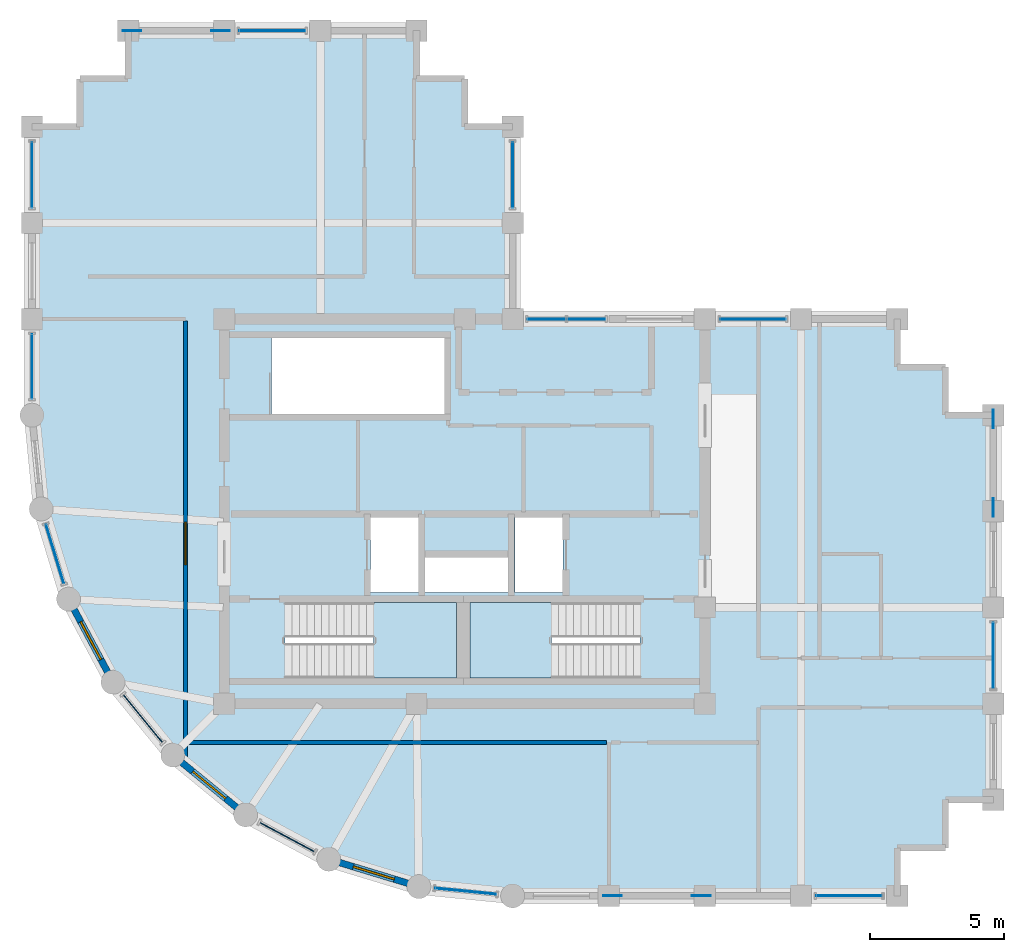
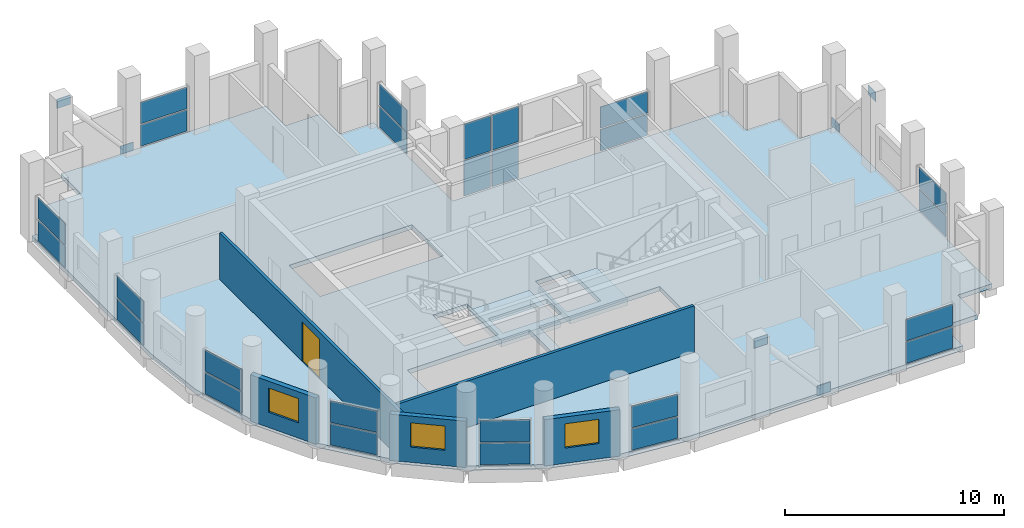
# One storey, part 10 of 14: 32 plates, 5 walls, 3 slabs, 3 windows, 1 door, 4 openings, 14 elements without a shape of their own.
"""IFC4 building model written with IfcOpenShell, lengths in metres."""

from ifc_helpers import new_model, si_unit, direction, frame, frame_2d, origin, origin_2d, place, context, subcontext, project, spatial, polyline, rectangle, outline, extrude, material, layer, layer_set, type_object, element, fill, aggregate, save


model = new_model("IFC4")

# Units and contexts
model_context = context("Model", 3, precision=1e-05, world=origin(), true_north=direction((0.0, 1.0)))
body_context = subcontext(model_context, "Body", "Model", "MODEL_VIEW")
ifc_project = project(units=[si_unit("LENGTHUNIT", "METRE"), si_unit("AREAUNIT", "SQUARE_METRE"), si_unit("VOLUMEUNIT", "CUBIC_METRE"), si_unit("PLANEANGLEUNIT", "RADIAN"), si_unit("MASSUNIT", "GRAM", prefix="KILO")], contexts=[model_context])

# Site, building, storey
site_placement = place(None, origin())
site = spatial("IfcSite", under=ifc_project, at=site_placement, CompositionType="ELEMENT")
building_placement = place(site_placement, origin())
building = spatial("IfcBuilding", under=site, at=building_placement, Name="Solnavia Interchange Tower", CompositionType="ELEMENT")
storey_placement = place(building_placement, frame((0.0, 0.0, 299.800048828125)))
storey = spatial("IfcBuildingStorey", under=building, at=storey_placement, Name="L76", CompositionType="ELEMENT", Elevation=299.800048828125)

# Curtain wall, plates
ifc_material_1 = material(Name="Aluminium Alloy 6063-T6", Category="aluminium")
ifc_layer_1 = layer(ifc_material_1, 0.27001953125)
ifc_layer_set_1 = layer_set([ifc_layer_1], Name="Aluminium Alloy 6063-T6")
curtain_wall_type = type_object("IfcCurtainWallType", Name="CurtainWall-SkyLobby-CTW4", PredefinedType="NOTDEFINED", material=ifc_layer_set_1)
curtain_wall_1_placement = place(storey_placement, origin())
curtain_wall_1 = element("IfcCurtainWall", 1, at=curtain_wall_1_placement, inside=storey, type_object=curtain_wall_type, Name="CTW-L76-S04 CTW-4 curtain wall", PredefinedType="NOTDEFINED")
ifc_material_2 = material(Name="Double-Glazed Low-E IGU Glass", Category="glass")
ifc_layer_2 = layer(ifc_material_2, 0.035888671875)
ifc_layer_set_2 = layer_set([ifc_layer_2], Name="Double-Glazed Low-E IGU Glass")
plate_type_1 = type_object("IfcPlateType", Name="CW-Panel-Acoustic-36", PredefinedType="CURTAIN_PANEL", material=ifc_layer_set_2)
plate_1_placement = place(storey_placement, frame((37.800048828125, 3.60009765625, 0.06982421875), z_axis=(0.0, 0.0, 1.0), x_axis=(1.0, 0.0, 0.0)))
plate_1 = element("IfcPlate", 2, at=plate_1_placement, type_object=plate_type_1, Name="CTW-4 panel 1.1", PredefinedType="CURTAIN_PANEL", context=body_context, shape_type="SweptSolid", body=[
    extrude(rectangle(XDim=2.4599609375, YDim=0.035888671875, at=origin_2d()), origin(), (0.0, 0.0, 1.0), 1.18505859375),
])
plate_2_placement = place(storey_placement, frame((37.800048828125, 3.60009765625, 1.324951171875), z_axis=(0.0, 0.0, 1.0), x_axis=(1.0, 0.0, 0.0)))
plate_2 = element("IfcPlate", 3, at=plate_2_placement, type_object=plate_type_1, Name="CTW-4 panel 1.2", PredefinedType="CURTAIN_PANEL", context=body_context, shape_type="SweptSolid", body=[
    extrude(rectangle(XDim=2.4599609375, YDim=0.035888671875, at=origin_2d()), origin(), (0.0, 0.0, 1.0), 1.18505859375),
])
aggregate(curtain_wall_1, [plate_1, plate_2])

curtain_wall_2_placement = place(storey_placement, origin())
curtain_wall_2 = element("IfcCurtainWall", 4, at=curtain_wall_2_placement, inside=storey, type_object=curtain_wall_type, Name="CTW-L76-S10 CTW-4 curtain wall", PredefinedType="NOTDEFINED")
plate_3_placement = place(storey_placement, frame((43.199951171875, 12.60009765625, 0.06982421875), z_axis=(0.0, 0.0, 1.0), x_axis=(0.0, 1.0, 0.0)))
plate_3 = element("IfcPlate", 5, at=plate_3_placement, type_object=plate_type_1, Name="CTW-4 panel 1.1", PredefinedType="CURTAIN_PANEL", context=body_context, shape_type="SweptSolid", body=[
    extrude(rectangle(XDim=2.4599609375, YDim=0.035888671875, at=origin_2d()), origin(), (0.0, 0.0, 1.0), 1.18505859375),
])
plate_4_placement = place(storey_placement, frame((43.199951171875, 12.60009765625, 1.324951171875), z_axis=(0.0, 0.0, 1.0), x_axis=(0.0, 1.0, 0.0)))
plate_4 = element("IfcPlate", 6, at=plate_4_placement, type_object=plate_type_1, Name="CTW-4 panel 1.2", PredefinedType="CURTAIN_PANEL", context=body_context, shape_type="SweptSolid", body=[
    extrude(rectangle(XDim=2.4599609375, YDim=0.035888671875, at=origin_2d()), origin(), (0.0, 0.0, 1.0), 1.18505859375),
])
aggregate(curtain_wall_2, [plate_3, plate_4])

curtain_wall_3_placement = place(storey_placement, origin())
curtain_wall_3 = element("IfcCurtainWall", 7, at=curtain_wall_3_placement, inside=storey, type_object=curtain_wall_type, Name="CTW-L76-S18 CTW-4 curtain wall", PredefinedType="NOTDEFINED")
plate_5_placement = place(storey_placement, frame((34.199951171875, 25.199951171875, 0.06982421875), z_axis=(0.0, 0.0, 1.0), x_axis=(-1.0, 0.0, 0.0)))
plate_5 = element("IfcPlate", 8, at=plate_5_placement, type_object=plate_type_1, Name="CTW-4 panel 1.1", PredefinedType="CURTAIN_PANEL", context=body_context, shape_type="SweptSolid", body=[
    extrude(rectangle(XDim=2.4599609375, YDim=0.035888671875, at=origin_2d()), origin(), (0.0, 0.0, 1.0), 1.18505859375),
])
plate_6_placement = place(storey_placement, frame((34.199951171875, 25.199951171875, 1.324951171875), z_axis=(0.0, 0.0, 1.0), x_axis=(-1.0, 0.0, 0.0)))
plate_6 = element("IfcPlate", 9, at=plate_6_placement, type_object=plate_type_1, Name="CTW-4 panel 1.2", PredefinedType="CURTAIN_PANEL", context=body_context, shape_type="SweptSolid", body=[
    extrude(rectangle(XDim=2.4599609375, YDim=0.035888671875, at=origin_2d()), origin(), (0.0, 0.0, 1.0), 1.18505859375),
])
aggregate(curtain_wall_3, [plate_5, plate_6])

curtain_wall_4_placement = place(storey_placement, origin())
curtain_wall_4 = element("IfcCurtainWall", 10, at=curtain_wall_4_placement, inside=storey, type_object=curtain_wall_type, Name="CTW-L76-S20 CTW-4 curtain wall", PredefinedType="NOTDEFINED")
plate_7_placement = place(storey_placement, frame((27.95751953125, 25.199951171875, 0.070068359375), z_axis=(0.0, 0.0, 1.0), x_axis=(-1.0, 0.0, 0.0)))
plate_7 = element("IfcPlate", 11, at=plate_7_placement, type_object=plate_type_1, Name="CTW-4 panel 1.1", PredefinedType="CURTAIN_PANEL", context=body_context, shape_type="SweptSolid", body=[
    extrude(rectangle(XDim=1.405029296875, YDim=0.035888671875, at=origin_2d()), origin(), (0.0, 0.0, 1.0), 1.962890625),
])
plate_8_placement = place(storey_placement, frame((27.95751953125, 25.199951171875, 2.10302734375), z_axis=(0.0, 0.0, 1.0), x_axis=(-1.0, 0.0, 0.0)))
plate_8 = element("IfcPlate", 12, at=plate_8_placement, type_object=plate_type_1, Name="CTW-4 panel 1.2", PredefinedType="CURTAIN_PANEL", context=body_context, shape_type="SweptSolid", body=[
    extrude(rectangle(XDim=1.405029296875, YDim=0.035888671875, at=origin_2d()), origin(), (0.0, 0.0, 1.0), 1.9619140625),
])
plate_9_placement = place(storey_placement, frame((26.472412109375, 25.199951171875, 0.070068359375), z_axis=(0.0, 0.0, 1.0), x_axis=(-1.0, 0.0, 0.0)))
plate_9 = element("IfcPlate", 13, at=plate_9_placement, type_object=plate_type_1, Name="CTW-4 panel 2.1", PredefinedType="CURTAIN_PANEL", context=body_context, shape_type="SweptSolid", body=[
    extrude(rectangle(XDim=1.405029296875, YDim=0.035888671875, at=origin_2d()), origin(), (0.0, 0.0, 1.0), 1.962890625),
])
plate_10_placement = place(storey_placement, frame((26.472412109375, 25.199951171875, 2.10302734375), z_axis=(0.0, 0.0, 1.0), x_axis=(-1.0, 0.0, 0.0)))
plate_10 = element("IfcPlate", 14, at=plate_10_placement, type_object=plate_type_1, Name="CTW-4 panel 2.2", PredefinedType="CURTAIN_PANEL", context=body_context, shape_type="SweptSolid", body=[
    extrude(rectangle(XDim=1.405029296875, YDim=0.035888671875, at=origin_2d()), origin(), (0.0, 0.0, 1.0), 1.9619140625),
])
aggregate(curtain_wall_4, [plate_7, plate_8, plate_9, plate_10])

curtain_wall_5_placement = place(storey_placement, origin())
curtain_wall_5 = element("IfcCurtainWall", 15, at=curtain_wall_5_placement, inside=storey, type_object=curtain_wall_type, Name="CTW-L76-S22 CTW-4 curtain wall", PredefinedType="NOTDEFINED")
plate_11_placement = place(storey_placement, frame((25.199951171875, 30.60009765625, 0.06982421875), z_axis=(0.0, 0.0, 1.0), x_axis=(0.0, 1.0, 0.0)))
plate_11 = element("IfcPlate", 16, at=plate_11_placement, type_object=plate_type_1, Name="CTW-4 panel 1.1", PredefinedType="CURTAIN_PANEL", context=body_context, shape_type="SweptSolid", body=[
    extrude(rectangle(XDim=2.4599609375, YDim=0.035888671875, at=origin_2d()), origin(), (0.0, 0.0, 1.0), 1.18505859375),
])
plate_12_placement = place(storey_placement, frame((25.199951171875, 30.60009765625, 1.324951171875), z_axis=(0.0, 0.0, 1.0), x_axis=(0.0, 1.0, 0.0)))
plate_12 = element("IfcPlate", 17, at=plate_12_placement, type_object=plate_type_1, Name="CTW-4 panel 1.2", PredefinedType="CURTAIN_PANEL", context=body_context, shape_type="SweptSolid", body=[
    extrude(rectangle(XDim=2.4599609375, YDim=0.035888671875, at=origin_2d()), origin(), (0.0, 0.0, 1.0), 1.18505859375),
])
aggregate(curtain_wall_5, [plate_11, plate_12])

curtain_wall_6_placement = place(storey_placement, origin())
curtain_wall_6 = element("IfcCurtainWall", 18, at=curtain_wall_6_placement, inside=storey, type_object=curtain_wall_type, Name="CTW-L76-S28 CTW-4 curtain wall", PredefinedType="NOTDEFINED")
plate_13_placement = place(storey_placement, frame((16.199951171875, 36.0, 0.06982421875), z_axis=(0.0, 0.0, 1.0), x_axis=(-1.0, 0.0, 0.0)))
plate_13 = element("IfcPlate", 19, at=plate_13_placement, type_object=plate_type_1, Name="CTW-4 panel 1.1", PredefinedType="CURTAIN_PANEL", context=body_context, shape_type="SweptSolid", body=[
    extrude(rectangle(XDim=2.4599609375, YDim=0.035888671875, at=origin_2d()), origin(), (0.0, 0.0, 1.0), 1.18505859375),
])
plate_14_placement = place(storey_placement, frame((16.199951171875, 36.0, 1.324951171875), z_axis=(0.0, 0.0, 1.0), x_axis=(-1.0, 0.0, 0.0)))
plate_14 = element("IfcPlate", 20, at=plate_14_placement, type_object=plate_type_1, Name="CTW-4 panel 1.2", PredefinedType="CURTAIN_PANEL", context=body_context, shape_type="SweptSolid", body=[
    extrude(rectangle(XDim=2.4599609375, YDim=0.035888671875, at=origin_2d()), origin(), (0.0, 0.0, 1.0), 1.18505859375),
])
aggregate(curtain_wall_6, [plate_13, plate_14])

curtain_wall_7_placement = place(storey_placement, origin())
curtain_wall_7 = element("IfcCurtainWall", 21, at=curtain_wall_7_placement, inside=storey, type_object=curtain_wall_type, Name="CTW-L76-S34 CTW-4 curtain wall", PredefinedType="NOTDEFINED")
plate_15_placement = place(storey_placement, frame((7.199951171875, 30.60009765625, 0.06982421875), z_axis=(0.0, 0.0, 1.0), x_axis=(0.0, -1.0, 0.0)))
plate_15 = element("IfcPlate", 22, at=plate_15_placement, type_object=plate_type_1, Name="CTW-4 panel 1.1", PredefinedType="CURTAIN_PANEL", context=body_context, shape_type="SweptSolid", body=[
    extrude(rectangle(XDim=2.4599609375, YDim=0.035888671875, at=origin_2d()), origin(), (0.0, 0.0, 1.0), 1.18505859375),
])
plate_16_placement = place(storey_placement, frame((7.199951171875, 30.60009765625, 1.324951171875), z_axis=(0.0, 0.0, 1.0), x_axis=(0.0, -1.0, 0.0)))
plate_16 = element("IfcPlate", 23, at=plate_16_placement, type_object=plate_type_1, Name="CTW-4 panel 1.2", PredefinedType="CURTAIN_PANEL", context=body_context, shape_type="SweptSolid", body=[
    extrude(rectangle(XDim=2.4599609375, YDim=0.035888671875, at=origin_2d()), origin(), (0.0, 0.0, 1.0), 1.18505859375),
])
aggregate(curtain_wall_7, [plate_15, plate_16])

curtain_wall_8_placement = place(storey_placement, origin())
curtain_wall_8 = element("IfcCurtainWall", 24, at=curtain_wall_8_placement, inside=storey, type_object=curtain_wall_type, Name="CTW-L76-S36 CTW-4 curtain wall", PredefinedType="NOTDEFINED")
plate_17_placement = place(storey_placement, frame((7.199951171875, 23.425048828125, 0.06982421875), z_axis=(0.0, 0.0, 1.0), x_axis=(0.0, -1.0, 0.0)))
plate_17 = element("IfcPlate", 25, at=plate_17_placement, type_object=plate_type_1, Name="CTW-4 panel 1.1", PredefinedType="CURTAIN_PANEL", context=body_context, shape_type="SweptSolid", body=[
    extrude(rectangle(XDim=2.409912109375, YDim=0.035888671875, at=origin_2d()), origin(), (0.0, 0.0, 1.0), 1.18505859375),
])
plate_18_placement = place(storey_placement, frame((7.199951171875, 23.425048828125, 1.324951171875), z_axis=(0.0, 0.0, 1.0), x_axis=(0.0, -1.0, 0.0)))
plate_18 = element("IfcPlate", 26, at=plate_18_placement, type_object=plate_type_1, Name="CTW-4 panel 1.2", PredefinedType="CURTAIN_PANEL", context=body_context, shape_type="SweptSolid", body=[
    extrude(rectangle(XDim=2.409912109375, YDim=0.035888671875, at=origin_2d()), origin(), (0.0, 0.0, 1.0), 1.18505859375),
])
aggregate(curtain_wall_8, [plate_17, plate_18])

curtain_wall_9_placement = place(storey_placement, origin())
curtain_wall_9 = element("IfcCurtainWall", 27, at=curtain_wall_9_placement, inside=storey, type_object=curtain_wall_type, Name="CTW-L76-S38 CTW-4 curtain wall", PredefinedType="NOTDEFINED")
plate_19_placement = place(storey_placement, frame((8.05810546875, 16.39990234375, 0.06982421875), z_axis=(0.0, 0.0, 1.0), x_axis=(0.290299913815, -0.95693571364, 0.0)))
plate_19 = element("IfcPlate", 28, at=plate_19_placement, type_object=plate_type_1, Name="CTW-4 panel 1.1", PredefinedType="CURTAIN_PANEL", context=body_context, shape_type="SweptSolid", body=[
    extrude(rectangle(XDim=2.287841796875, YDim=0.035888671875, at=origin_2d()), origin(), (0.0, 0.0, 1.0), 1.18505859375),
])
plate_20_placement = place(storey_placement, frame((8.05810546875, 16.39990234375, 1.324951171875), z_axis=(0.0, 0.0, 1.0), x_axis=(0.290299913815, -0.95693571364, 0.0)))
plate_20 = element("IfcPlate", 29, at=plate_20_placement, type_object=plate_type_1, Name="CTW-4 panel 1.2", PredefinedType="CURTAIN_PANEL", context=body_context, shape_type="SweptSolid", body=[
    extrude(rectangle(XDim=2.287841796875, YDim=0.035888671875, at=origin_2d()), origin(), (0.0, 0.0, 1.0), 1.18505859375),
])
aggregate(curtain_wall_9, [plate_19, plate_20])

curtain_wall_10_placement = place(storey_placement, origin())
curtain_wall_10 = element("IfcCurtainWall", 30, at=curtain_wall_10_placement, inside=storey, type_object=curtain_wall_type, Name="CTW-L76-S40 CTW-4 curtain wall", PredefinedType="NOTDEFINED")
plate_21_placement = place(storey_placement, frame((11.35302734375, 10.236083984375, 0.06982421875), z_axis=(0.0, 0.0, 1.0), x_axis=(0.634260283155, -0.773119585324, 0.0)))
plate_21 = element("IfcPlate", 31, at=plate_21_placement, type_object=plate_type_1, Name="CTW-4 panel 1.1", PredefinedType="CURTAIN_PANEL", context=body_context, shape_type="SweptSolid", body=[
    extrude(rectangle(XDim=2.28857421875, YDim=0.035888671875, at=origin_2d()), origin(), (0.0, 0.0, 1.0), 1.18505859375),
])
plate_22_placement = place(storey_placement, frame((11.35302734375, 10.236083984375, 1.324951171875), z_axis=(0.0, 0.0, 1.0), x_axis=(0.634260283155, -0.773119585324, 0.0)))
plate_22 = element("IfcPlate", 32, at=plate_22_placement, type_object=plate_type_1, Name="CTW-4 panel 1.2", PredefinedType="CURTAIN_PANEL", context=body_context, shape_type="SweptSolid", body=[
    extrude(rectangle(XDim=2.28857421875, YDim=0.035888671875, at=origin_2d()), origin(), (0.0, 0.0, 1.0), 1.18505859375),
])
aggregate(curtain_wall_10, [plate_21, plate_22])

curtain_wall_11_placement = place(storey_placement, origin())
curtain_wall_11 = element("IfcCurtainWall", 33, at=curtain_wall_11_placement, inside=storey, type_object=curtain_wall_type, Name="CTW-L76-S42 CTW-4 curtain wall", PredefinedType="NOTDEFINED")
plate_23_placement = place(storey_placement, frame((16.756103515625, 5.802001953125, 0.06982421875), z_axis=(0.0, 0.0, 1.0), x_axis=(0.881841507156, -0.471545921683, 0.0)))
plate_23 = element("IfcPlate", 34, at=plate_23_placement, type_object=plate_type_1, Name="CTW-4 panel 1.1", PredefinedType="CURTAIN_PANEL", context=body_context, shape_type="SweptSolid", body=[
    extrude(rectangle(XDim=2.2890625, YDim=0.035888671875, at=origin_2d()), origin(), (0.0, 0.0, 1.0), 1.18505859375),
])
plate_24_placement = place(storey_placement, frame((16.756103515625, 5.802001953125, 1.324951171875), z_axis=(0.0, 0.0, 1.0), x_axis=(0.881841507156, -0.471545921683, 0.0)))
plate_24 = element("IfcPlate", 35, at=plate_24_placement, type_object=plate_type_1, Name="CTW-4 panel 1.2", PredefinedType="CURTAIN_PANEL", context=body_context, shape_type="SweptSolid", body=[
    extrude(rectangle(XDim=2.2890625, YDim=0.035888671875, at=origin_2d()), origin(), (0.0, 0.0, 1.0), 1.18505859375),
])
aggregate(curtain_wall_11, [plate_23, plate_24])

curtain_wall_12_placement = place(storey_placement, origin())
curtain_wall_12 = element("IfcCurtainWall", 36, at=curtain_wall_12_placement, inside=storey, type_object=curtain_wall_type, Name="CTW-L76-S44 CTW-4 curtain wall", PredefinedType="NOTDEFINED")
plate_25_placement = place(storey_placement, frame((23.444091796875, 3.77294921875, 0.06982421875), z_axis=(0.0, 0.0, 1.0), x_axis=(0.995178481157, -0.098080531415, 0.0)))
plate_25 = element("IfcPlate", 37, at=plate_25_placement, type_object=plate_type_1, Name="CTW-4 panel 1.1", PredefinedType="CURTAIN_PANEL", context=body_context, shape_type="SweptSolid", body=[
    extrude(rectangle(XDim=2.2890625, YDim=0.035888671875, at=origin_2d()), origin(), (0.0, 0.0, 1.0), 1.18505859375),
])
plate_26_placement = place(storey_placement, frame((23.444091796875, 3.77294921875, 1.324951171875), z_axis=(0.0, 0.0, 1.0), x_axis=(0.995178481157, -0.098080531415, 0.0)))
plate_26 = element("IfcPlate", 38, at=plate_26_placement, type_object=plate_type_1, Name="CTW-4 panel 1.2", PredefinedType="CURTAIN_PANEL", context=body_context, shape_type="SweptSolid", body=[
    extrude(rectangle(XDim=2.2890625, YDim=0.035888671875, at=origin_2d()), origin(), (0.0, 0.0, 1.0), 1.18505859375),
])
aggregate(curtain_wall_12, [plate_25, plate_26])

# Plates
ifc_material_3 = material(Name="Steel S460", Category="steel")
ifc_layer_3 = layer(ifc_material_3, 0.030029296875)
ifc_layer_set_3 = layer_set([ifc_layer_3], Name="Steel S460")
plate_type_2 = type_object("IfcPlateType", Name="Plate-Gusset-700x520x30", PredefinedType="USERDEFINED", material=ifc_layer_set_3)
for number, where, z_axis, x_axis, name in (
    (39, (32.260009765625, 3.60009765625, -0.080078125), (0.0, 0.0, 1.0), (-1.0, 0.0, 0.0), "PLT-L76-GP01 Perimeter brace gusset plate"),
    (40, (28.93994140625, 3.60009765625, 3.7099609375), (0.0, 0.0, 1.0), (-1.0, 0.0, 0.0), "PLT-L76-GP02 Perimeter brace gusset plate"),
    (41, (43.199951171875, 21.4599609375, -0.080078125), (0.0, 0.0, 1.0), (0.0, -1.0, 0.0), "PLT-L76-GP03 Perimeter brace gusset plate"),
    (42, (43.199951171875, 18.139892578125, 3.7099609375), (0.0, 0.0, 1.0), (0.0, -1.0, 0.0), "PLT-L76-GP04 Perimeter brace gusset plate"),
    (43, (14.260009765625, 36.0, -0.080078125), (0.0, 0.0, 1.0), (-1.0, 0.0, 0.0), "PLT-L76-GP05 Perimeter brace gusset plate"),
    (44, (10.93994140625, 36.0, 3.7099609375), (0.0, 0.0, 1.0), (-1.0, 0.0, 0.0), "PLT-L76-GP06 Perimeter brace gusset plate"),
):
    element("IfcPlate", number, at=place(storey_placement, frame(where, z_axis=z_axis, x_axis=x_axis)), inside=storey, type_object=plate_type_2, Name=name, ObjectType="GUSSET PLATE", PredefinedType="USERDEFINED", context=body_context, shape_type="SweptSolid", body=[
        extrude(rectangle(XDim=0.699951171875, YDim=0.030029296875, at=origin_2d()), origin(), (0.0, 0.0, 1.0), 0.52001953125),
    ])

# Stair, slab
ifc_material_4 = material(Name="Concrete C40/50", Category="concrete")
stair_type = type_object("IfcStairType", Name="Stair-Dogleg-RC", PredefinedType="HALF_TURN_STAIR", material=ifc_material_4)
stair_1_placement = place(storey_placement, origin())
stair_1 = element("IfcStair", 45, at=stair_1_placement, inside=storey, type_object=stair_type, Name="L76 Core exit stair 1", PredefinedType="HALF_TURN_STAIR")
ifc_layer_4 = layer(ifc_material_4, 0.35009765625)
ifc_layer_set_4 = layer_set([ifc_layer_4], Name="Concrete C40/50")
slab_type_1 = type_object("IfcSlabType", Name="Slab-StairLanding-350", PredefinedType="LANDING", material=ifc_layer_set_4)
slab_1_placement = place(storey_placement, frame((0.0, 0.0, 1.849853515625)))
slab_1 = element("IfcSlab", 46, at=slab_1_placement, type_object=slab_type_1, Name="ST-1 landing 1", PredefinedType="LANDING", context=body_context, shape_type="SweptSolid", body=[
    extrude(outline(polyline([(19.988037109375, 11.75), (23.10009765625, 11.75), (23.10009765625, 14.590087890625), (19.988037109375, 14.590087890625), (19.988037109375, 11.75)])), origin(), (0.0, 0.0, 1.0), 0.35009765625),
])
aggregate(stair_1, [slab_1])

stair_2_placement = place(storey_placement, origin())
stair_2 = element("IfcStair", 47, at=stair_2_placement, inside=storey, type_object=stair_type, Name="L76 Core exit stair 2", PredefinedType="HALF_TURN_STAIR")
slab_2_placement = place(storey_placement, frame((0.0, 0.0, 1.849853515625)))
slab_2 = element("IfcSlab", 48, at=slab_2_placement, type_object=slab_type_1, Name="ST-2 landing 1", PredefinedType="LANDING", context=body_context, shape_type="SweptSolid", body=[
    extrude(outline(polyline([(23.60009765625, 11.75), (26.662109375, 11.75), (26.662109375, 14.590087890625), (23.60009765625, 14.590087890625), (23.60009765625, 11.75)])), origin(), (0.0, 0.0, 1.0), 0.35009765625),
])
aggregate(stair_2, [slab_2])

# Slab
ifc_layer_5 = layer(ifc_material_4, 0.25)
ifc_layer_set_5 = layer_set([ifc_layer_5], Name="Concrete C40/50")
slab_type_2 = type_object("IfcSlabType", Name="Slab-Tower-250", PredefinedType="FLOOR", material=ifc_layer_set_5)
slab_3_placement = place(storey_placement, frame((0.0, 0.0, -0.25)))
element("IfcSlab", 49, at=slab_3_placement, inside=storey, type_object=slab_type_2, Name="SLB-L76-01 Structural floor slab", PredefinedType="FLOOR", context=body_context, shape_type="SweptSolid", body=[
    extrude(outline(polyline([(25.199951171875, 3.60009765625), (39.60009765625, 3.60009765625), (39.60009765625, 5.39990234375), (41.39990234375, 5.39990234375), (41.39990234375, 7.199951171875), (43.199951171875, 7.199951171875), (43.199951171875, 21.60009765625), (41.39990234375, 21.60009765625), (41.39990234375, 23.39990234375), (39.60009765625, 23.39990234375), (39.60009765625, 25.199951171875), (25.199951171875, 25.199951171875), (25.199951171875, 32.39990234375), (23.39990234375, 32.39990234375), (23.39990234375, 34.199951171875), (21.60009765625, 34.199951171875), (21.60009765625, 36.0), (10.800048828125, 36.0), (10.800048828125, 34.199951171875), (9.0, 34.199951171875), (9.0, 32.39990234375), (7.199951171875, 32.39990234375), (7.199951171875, 21.60009765625), (7.5458984375, 18.087890625), (8.570068359375, 14.7119140625), (10.23388671875, 11.60009765625), (12.471923828125, 8.8720703125), (15.199951171875, 6.634033203125), (18.31201171875, 4.969970703125), (21.68798828125, 3.946044921875), (25.199951171875, 3.60009765625)]), holes=[polyline([(16.675048828125, 11.75), (23.10009765625, 11.75), (23.10009765625, 14.590087890625), (16.675048828125, 14.590087890625), (16.675048828125, 11.75)]), polyline([(23.60009765625, 11.75), (29.97509765625, 11.75), (29.97509765625, 14.590087890625), (23.60009765625, 14.590087890625), (23.60009765625, 11.75)]), polyline([(16.175048828125, 21.64990234375), (22.64990234375, 21.64990234375), (22.64990234375, 24.489990234375), (16.175048828125, 24.489990234375), (16.175048828125, 21.64990234375)]), polyline([(19.8798828125, 14.9599609375), (21.679931640625, 14.9599609375), (21.679931640625, 17.780029296875), (19.8798828125, 17.780029296875), (19.8798828125, 14.9599609375)]), polyline([(25.280029296875, 14.9599609375), (27.080078125, 14.9599609375), (27.080078125, 17.780029296875), (25.280029296875, 17.780029296875), (25.280029296875, 14.9599609375)]), polyline([(21.919921875, 14.9599609375), (25.02001953125, 14.9599609375), (25.02001953125, 16.280029296875), (21.919921875, 16.280029296875), (21.919921875, 14.9599609375)])]), origin(), (0.0, 0.0, 1.0), 0.25),
])

# Wall, opening, window
ifc_layer_6 = layer(ifc_material_4, 0.25)
ifc_layer_set_6 = layer_set([ifc_layer_6], Name="Concrete C40/50")
wall_type_1 = type_object("IfcWallType", Name="Wall-ExtSpandrel-250", PredefinedType="STANDARD", material=ifc_layer_set_6)
wall_1_placement = place(storey_placement, frame((10.23388671875, 11.60009765625, 0.0), z_axis=(0.0, 0.0, 1.0), x_axis=(-0.47151087309, 0.881860247748, 0.0)))
wall_1 = element("IfcWall", 50, at=wall_1_placement, inside=storey, type_object=wall_type_1, Name="EXW-L76-39 Exterior precast spandrel wall", PredefinedType="STANDARD", context=body_context, shape_type="SweptSolid", body=[
    extrude(rectangle(XDim=3.52880859375, YDim=0.25, at=frame_2d((1.764404296875, 0.0))), origin(), (0.0, 0.0, 1.0), 2.579833984375),
])
opening_1_placement = place(wall_1_placement, frame((0.964111328125, 0.0, 0.85009765625)))
opening_1 = element("IfcOpeningElement", 51, at=opening_1_placement, cuts=wall_1, Name="Opening WIN-04", PredefinedType="OPENING", context=body_context, shape_type="SweptSolid", body=[
    extrude(rectangle(XDim=1.60009765625, YDim=1.35009765625, at=frame_2d((0.800048828125, 0.675048828125))), frame((0.0, 0.135009765625, 0.0), z_axis=(0.0, -1.0, 0.0), x_axis=(1.0, 0.0, 0.0)), (0.0, 0.0, 1.0), 0.27001953125),
])
ifc_material_5 = material(Name="Thermal-Break Aluminium & Low-E Glass", Category="aluminium")
window_type = type_object("IfcWindowType", Name="Window-Drum-1600x1350", PartitioningType="SINGLE_PANEL", PredefinedType="WINDOW", material=ifc_material_5)
window_1_placement = place(opening_1_placement, origin())
window_1 = element("IfcWindow", 52, at=window_1_placement, inside=storey, type_object=window_type, Name="WIN-L76-39 Facade ribbon window", OverallHeight=1.35009765625, OverallWidth=1.60009765625, PartitioningType="SINGLE_PANEL", PredefinedType="WINDOW", context=body_context, shape_type="SweptSolid", body=[
    extrude(rectangle(XDim=1.60009765625, YDim=1.35009765625, at=frame_2d((0.800048828125, 0.675048828125))), frame((0.0, 0.030029296875, 0.0), z_axis=(0.0, -1.0, 0.0), x_axis=(1.0, 0.0, 0.0)), (0.0, 0.0, 1.0), 0.06005859375),
])
fill(opening_1, window_1)

wall_2_placement = place(storey_placement, frame((15.199951171875, 6.634033203125, 0.0), z_axis=(0.0, 0.0, 1.0), x_axis=(-0.773121216285, 0.634258295121, 0.0)))
wall_2 = element("IfcWall", 53, at=wall_2_placement, inside=storey, type_object=wall_type_1, Name="EXW-L76-41 Exterior precast spandrel wall", PredefinedType="STANDARD", context=body_context, shape_type="SweptSolid", body=[
    extrude(rectangle(XDim=3.528564453125, YDim=0.25, at=frame_2d((1.76416015625, 0.0))), origin(), (0.0, 0.0, 1.0), 2.579833984375),
])
opening_2_placement = place(wall_2_placement, frame((0.964111328125, 0.0, 0.85009765625)))
opening_2 = element("IfcOpeningElement", 54, at=opening_2_placement, cuts=wall_2, Name="Opening WIN-04", PredefinedType="OPENING", context=body_context, shape_type="SweptSolid", body=[
    extrude(rectangle(XDim=1.60009765625, YDim=1.35009765625, at=frame_2d((0.800048828125, 0.675048828125))), frame((0.0, 0.135009765625, 0.0), z_axis=(0.0, -1.0, 0.0), x_axis=(1.0, 0.0, 0.0)), (0.0, 0.0, 1.0), 0.27001953125),
])
window_2_placement = place(opening_2_placement, origin())
window_2 = element("IfcWindow", 55, at=window_2_placement, inside=storey, type_object=window_type, Name="WIN-L76-41 Facade ribbon window", OverallHeight=1.35009765625, OverallWidth=1.60009765625, PartitioningType="SINGLE_PANEL", PredefinedType="WINDOW", context=body_context, shape_type="SweptSolid", body=[
    extrude(rectangle(XDim=1.60009765625, YDim=1.35009765625, at=frame_2d((0.800048828125, 0.675048828125))), frame((0.0, 0.030029296875, 0.0), z_axis=(0.0, -1.0, 0.0), x_axis=(1.0, 0.0, 0.0)), (0.0, 0.0, 1.0), 0.06005859375),
])
fill(opening_2, window_2)

wall_3_placement = place(storey_placement, frame((21.68798828125, 3.946044921875, 0.0), z_axis=(0.0, 0.0, 1.0), x_axis=(-0.956953367403, 0.290241714123, 0.0)))
wall_3 = element("IfcWall", 56, at=wall_3_placement, inside=storey, type_object=wall_type_1, Name="EXW-L76-43 Exterior precast spandrel wall", PredefinedType="STANDARD", context=body_context, shape_type="SweptSolid", body=[
    extrude(rectangle(XDim=3.52783203125, YDim=0.25, at=frame_2d((1.763916015625, 0.0))), origin(), (0.0, 0.0, 1.0), 2.579833984375),
])
opening_3_placement = place(wall_3_placement, frame((0.964111328125, 0.0, 0.85009765625)))
opening_3 = element("IfcOpeningElement", 57, at=opening_3_placement, cuts=wall_3, Name="Opening WIN-04", PredefinedType="OPENING", context=body_context, shape_type="SweptSolid", body=[
    extrude(rectangle(XDim=1.60009765625, YDim=1.35009765625, at=frame_2d((0.800048828125, 0.675048828125))), frame((0.0, 0.135009765625, 0.0), z_axis=(0.0, -1.0, 0.0), x_axis=(1.0, 0.0, 0.0)), (0.0, 0.0, 1.0), 0.27001953125),
])
window_3_placement = place(opening_3_placement, origin())
window_3 = element("IfcWindow", 58, at=window_3_placement, inside=storey, type_object=window_type, Name="WIN-L76-43 Facade ribbon window", OverallHeight=1.35009765625, OverallWidth=1.60009765625, PartitioningType="SINGLE_PANEL", PredefinedType="WINDOW", context=body_context, shape_type="SweptSolid", body=[
    extrude(rectangle(XDim=1.60009765625, YDim=1.35009765625, at=frame_2d((0.800048828125, 0.675048828125))), frame((0.0, 0.030029296875, 0.0), z_axis=(0.0, -1.0, 0.0), x_axis=(1.0, 0.0, 0.0)), (0.0, 0.0, 1.0), 0.06005859375),
])
fill(opening_3, window_3)

# Wall, opening, door
ifc_material_6 = material(Name="Gypsum Plasterboard & Steel Stud", Category="steel")
ifc_layer_7 = layer(ifc_material_6, 0.14990234375)
ifc_layer_set_7 = layer_set([ifc_layer_7], Name="Gypsum Plasterboard & Steel Stud")
wall_type_2 = type_object("IfcWallType", Name="Wall-Partition-150", PredefinedType="PARTITIONING", material=ifc_layer_set_7)
wall_4_placement = place(storey_placement, frame((12.949951171875, 8.60888671875, 0.0), z_axis=(0.0, 0.0, 1.0), x_axis=(0.0, 1.0, 0.0)))
wall_4 = element("IfcWall", 59, at=wall_4_placement, inside=storey, type_object=wall_type_2, Name="PTW-L76-09 Interior partition wall", PredefinedType="PARTITIONING", context=body_context, shape_type="SweptSolid", body=[
    extrude(rectangle(XDim=16.51220703125, YDim=0.14990234375, at=frame_2d((8.256103515625, 0.0))), origin(), (0.0, 0.0, 1.0), 2.579833984375),
])
opening_4_placement = place(wall_4_placement, frame((7.39111328125, 0.0, 0.0)))
opening_4 = element("IfcOpeningElement", 60, at=opening_4_placement, cuts=wall_4, Name="Opening DR-08", PredefinedType="OPENING", context=body_context, shape_type="SweptSolid", body=[
    extrude(rectangle(XDim=1.60009765625, YDim=2.199951171875, at=frame_2d((0.800048828125, 1.10009765625))), frame((0.0, 0.0849609375, 0.0), z_axis=(0.0, -1.0, 0.0), x_axis=(1.0, 0.0, 0.0)), (0.0, 0.0, 1.0), 0.169921875),
])
ifc_material_7 = material(Name="Thermally Broken Aluminium & Toughened Glass", Category="aluminium")
door_type = type_object("IfcDoorType", Name="Door-RetailDouble-1600x2200", OperationType="DOUBLE_DOOR_SINGLE_SWING", PredefinedType="DOOR", material=ifc_material_7)
door_placement = place(opening_4_placement, origin())
door = element("IfcDoor", 61, at=door_placement, inside=storey, type_object=door_type, Name="DR-L76-03 Interior room door", OperationType="DOUBLE_DOOR_SINGLE_SWING", OverallHeight=2.199951171875, OverallWidth=1.60009765625, PredefinedType="DOOR", context=body_context, shape_type="SweptSolid", body=[
    extrude(rectangle(XDim=1.60009765625, YDim=2.199951171875, at=frame_2d((0.800048828125, 1.10009765625))), frame((0.0, 0.02490234375, 0.0), z_axis=(0.0, -1.0, 0.0), x_axis=(1.0, 0.0, 0.0)), (0.0, 0.0, 1.0), 0.050048828125),
])
fill(opening_4, door)

# Wall
wall_5_placement = place(storey_placement, frame((13.080078125, 9.35009765625, 0.0), z_axis=(0.0, 0.0, 1.0), x_axis=(1.0, 0.0, 0.0)))
element("IfcWall", 62, at=wall_5_placement, inside=storey, type_object=wall_type_2, Name="PTW-L76-10 Interior partition wall", PredefinedType="PARTITIONING", context=body_context, shape_type="SweptSolid", body=[
    extrude(rectangle(XDim=15.640869140625, YDim=0.14990234375, at=frame_2d((7.8203125, 0.0))), origin(), (0.0, 0.0, 1.0), 2.579833984375),
])

save(model, "model.ifc")
